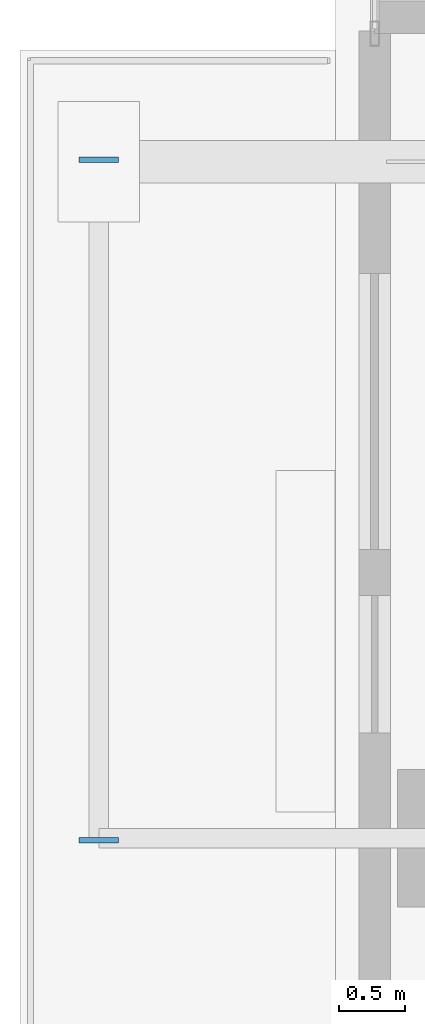
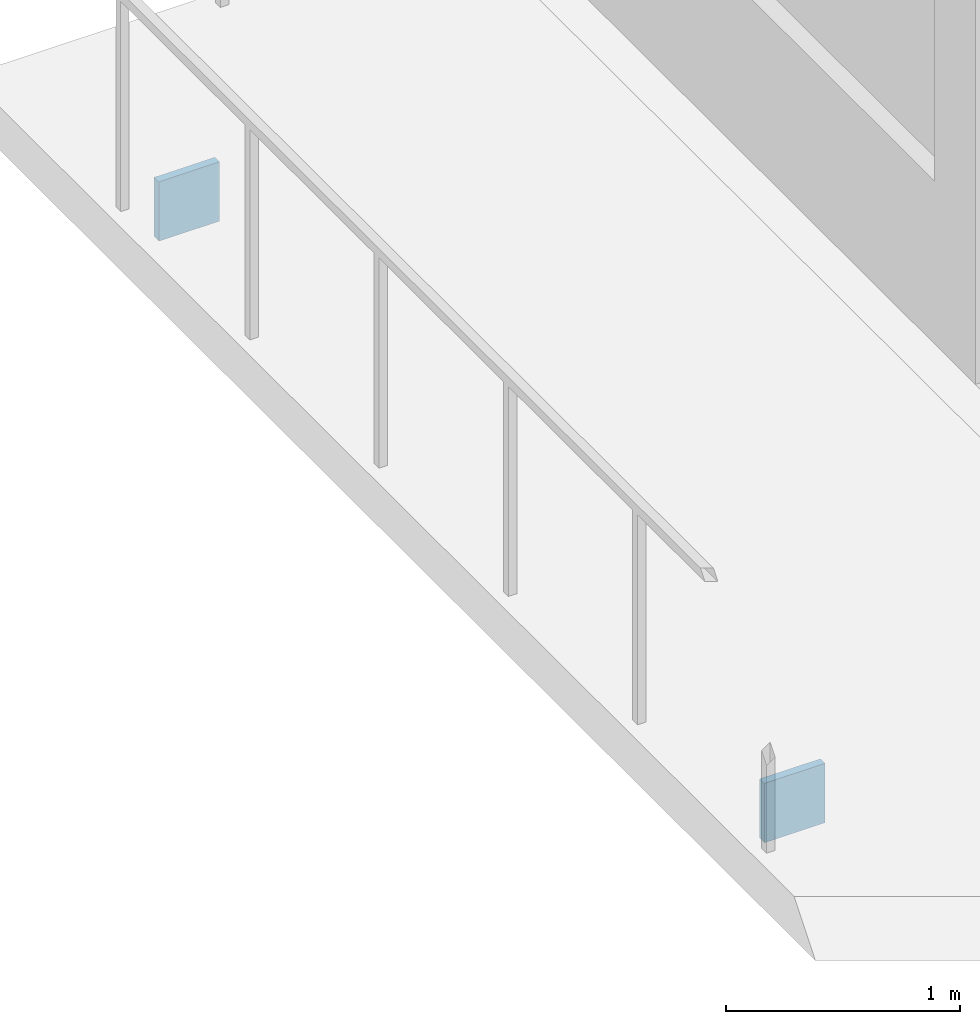
# One storey, part 18 of 26: 2 plates.
"""IFC4 building model written with IfcOpenShell, lengths in metres."""

from ifc_helpers import new_model, si_unit, direction, frame, origin, origin_2d, place, context, subcontext, project, spatial, rectangle, extrude, material, layer, layer_set, type_object, element, save


model = new_model("IFC4")

# Units and contexts
model_context = context("Model", 3, precision=1e-05, world=origin(), true_north=direction((0.0, 1.0)))
body_context = subcontext(model_context, "Body", "Model", "MODEL_VIEW")
ifc_project = project(units=[si_unit("LENGTHUNIT", "METRE"), si_unit("AREAUNIT", "SQUARE_METRE"), si_unit("VOLUMEUNIT", "CUBIC_METRE"), si_unit("PLANEANGLEUNIT", "RADIAN"), si_unit("MASSUNIT", "GRAM", prefix="KILO"), si_unit("THERMODYNAMICTEMPERATUREUNIT", "KELVIN"), si_unit("POWERUNIT", "WATT")], contexts=[model_context])

# Site, building, storey
site_placement = place(None, origin())
site = spatial("IfcSite", under=ifc_project, at=site_placement, CompositionType="ELEMENT")
building_placement = place(site_placement, origin())
building = spatial("IfcBuilding", under=site, at=building_placement, Name="Svarakhadi Broadcast Tower", CompositionType="ELEMENT")
storey_placement = place(building_placement, frame((0.0, 0.0, 180.449951171875)))
storey = spatial("IfcBuildingStorey", under=building, at=storey_placement, Name="L44", CompositionType="ELEMENT", Elevation=180.449951171875)

# Plates
ifc_material = material(Name="Steel S460ML (IS 2062 E450BR)", Category="steel")
ifc_layer = layer(ifc_material, 0.028076171875)
ifc_layer_set = layer_set([ifc_layer], Name="Steel S460ML (IS 2062 E450BR)")
plate_type = type_object("IfcPlateType", Name="Cap_Plate_CP02", PredefinedType="USERDEFINED", material=ifc_layer_set)
for number, where, z_axis, x_axis, name in (
    (1, (-1.800048828125, 23.985107421875, -0.5048828125), (0.0, 0.0, 1.0), (1.0, 0.0, 0.0), "L44 Balcony Spandrel End Cap Plate 2F-A"),
    (2, (-1.800048828125, 29.1650390625, -0.5048828125), (0.0, 0.0, 1.0), (1.0, 0.0, 0.0), "L44 Balcony Spandrel End Cap Plate 2F-B"),
):
    element("IfcPlate", number, at=place(storey_placement, frame(where, z_axis=z_axis, x_axis=x_axis)), inside=storey, type_object=plate_type, Name=name, ObjectType="FLANGE_PLATE", PredefinedType="USERDEFINED", context=body_context, shape_type="SweptSolid", body=[
        extrude(rectangle(XDim=0.300048828125, YDim=0.0400390625, at=origin_2d()), origin(), (0.0, 0.0, 1.0), 0.31005859375),
    ])

save(model, "model.ifc")
